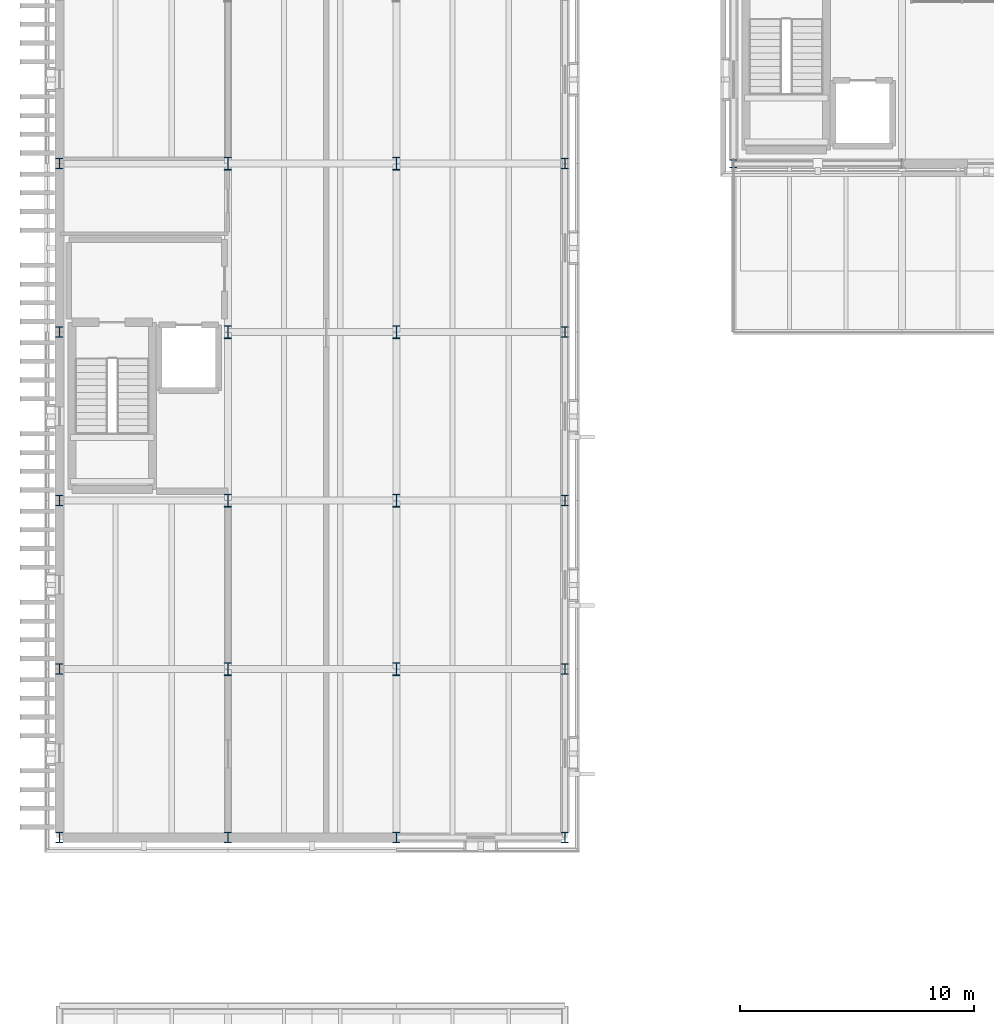
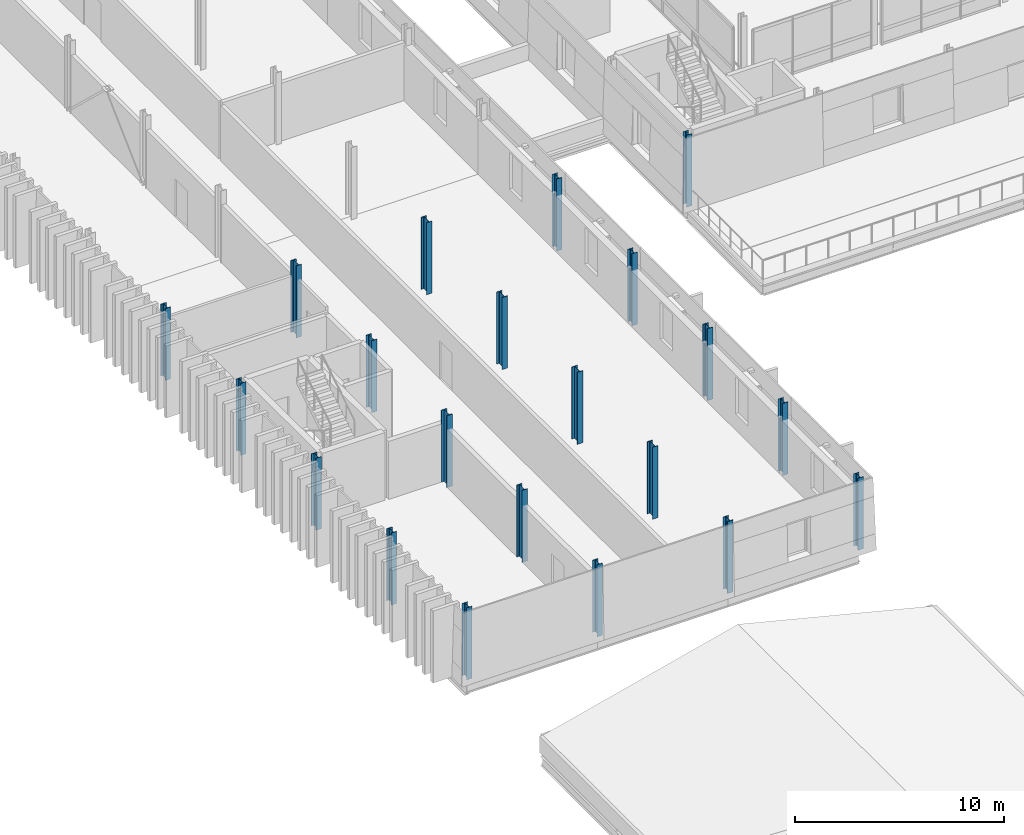
# One storey, part 1 of 91: 21 columns.
"""IFC4 building model written with IfcOpenShell, lengths in metres."""

from ifc_helpers import new_model, si_unit, direction, frame, origin, origin_2d, place, context, subcontext, project, spatial, i_section, extrude, material, material_profile, profile_set, type_object, element, save


model = new_model("IFC4")

# Units and contexts
model_context = context("Model", 3, precision=1e-05, world=origin(), true_north=direction((0.0, 1.0)))
body_context = subcontext(model_context, "Body", "Model", "MODEL_VIEW")
ifc_project = project(units=[si_unit("LENGTHUNIT", "METRE"), si_unit("AREAUNIT", "SQUARE_METRE"), si_unit("VOLUMEUNIT", "CUBIC_METRE"), si_unit("PLANEANGLEUNIT", "RADIAN"), si_unit("MASSUNIT", "GRAM", prefix="KILO")], contexts=[model_context])

# Site, building, storey
site_placement = place(None, origin())
site = spatial("IfcSite", under=ifc_project, at=site_placement, CompositionType="ELEMENT")
building_placement = place(site_placement, origin())
building = spatial("IfcBuilding", under=site, at=building_placement, Name="Narikvali Park Central Library", CompositionType="ELEMENT")
storey_placement = place(building_placement, frame((0.0, 0.0, 14.39990234375)))
storey = spatial("IfcBuildingStorey", under=building, at=storey_placement, Name="L03", CompositionType="ELEMENT", Elevation=14.39990234375)

# Columns
ifc_material = material(Name="Steel S355", Category="steel")
ifc_material_profile_1 = material_profile(ifc_material, i_section(OverallWidth=0.300048828125, OverallDepth=0.340087890625, WebThickness=0.011962890625, FlangeThickness=0.021484375, FilletRadius=0.027099609375, at=origin_2d()), Name="HEB 340")
ifc_profile_set_1 = profile_set([ifc_material_profile_1], Name="Steel S355")
column_type_1 = type_object("IfcColumnType", Name="Steel Column HEB340", PredefinedType="COLUMN", material=ifc_profile_set_1)
column_placement = place(storey_placement, frame((28.800048828125, 57.60009765625, 0.0), z_axis=(0.0, 0.0, 1.0), x_axis=(1.0, 0.0, 0.0)))
element("IfcColumn", 1, at=column_placement, inside=storey, type_object=column_type_1, Name="V4 L03 Column (28.8,57.6)", PredefinedType="COLUMN", context=body_context, shape_type="SweptSolid", body=[
    extrude(i_section(OverallWidth=0.300048828125, OverallDepth=0.340087890625, WebThickness=0.011962890625, FlangeThickness=0.021484375, FilletRadius=0.027099609375, at=origin_2d()), origin(), (0.0, 0.0, 1.0), 4.2001953125),
])
ifc_material_profile_2 = material_profile(ifc_material, i_section(OverallWidth=0.300048828125, OverallDepth=0.449951171875, WebThickness=0.013916015625, FlangeThickness=0.02587890625, FilletRadius=0.027099609375, at=origin_2d()), Name="HEB 450")
ifc_profile_set_2 = profile_set([ifc_material_profile_2], Name="Steel S355")
column_type_2 = type_object("IfcColumnType", Name="Steel Column HEB450", PredefinedType="COLUMN", material=ifc_profile_set_2)
for number, where, z_axis, x_axis, name in (
    (2, (0.0, 28.800048828125, 0.0), (0.0, 0.0, 1.0), (1.0, 0.0, 0.0), "V5 L03 Column (0.0,28.8)"),
    (3, (0.0, 36.0, 0.0), (0.0, 0.0, 1.0), (1.0, 0.0, 0.0), "V5 L03 Column (0.0,36.0)"),
    (4, (0.0, 43.199951171875, 0.0), (0.0, 0.0, 1.0), (1.0, 0.0, 0.0), "V5 L03 Column (0.0,43.2)"),
    (5, (0.0, 50.39990234375, 0.0), (0.0, 0.0, 1.0), (1.0, 0.0, 0.0), "V5 L03 Column (0.0,50.4)"),
    (6, (0.0, 57.60009765625, 0.0), (0.0, 0.0, 1.0), (1.0, 0.0, 0.0), "V5 L03 Column (0.0,57.6)"),
    (7, (7.199951171875, 28.800048828125, 0.0), (0.0, 0.0, 1.0), (1.0, 0.0, 0.0), "V5 L03 Column (7.2,28.8)"),
    (8, (14.39990234375, 28.800048828125, 0.0), (0.0, 0.0, 1.0), (1.0, 0.0, 0.0), "V5 L03 Column (14.4,28.8)"),
    (9, (21.60009765625, 28.800048828125, 0.0), (0.0, 0.0, 1.0), (1.0, 0.0, 0.0), "V5 L03 Column (21.6,28.8)"),
    (10, (21.60009765625, 36.0, 0.0), (0.0, 0.0, 1.0), (1.0, 0.0, 0.0), "V5 L03 Column (21.6,36.0)"),
    (11, (21.60009765625, 43.199951171875, 0.0), (0.0, 0.0, 1.0), (1.0, 0.0, 0.0), "V5 L03 Column (21.6,43.2)"),
    (12, (21.60009765625, 50.39990234375, 0.0), (0.0, 0.0, 1.0), (1.0, 0.0, 0.0), "V5 L03 Column (21.6,50.4)"),
    (13, (21.60009765625, 57.60009765625, 0.0), (0.0, 0.0, 1.0), (1.0, 0.0, 0.0), "V5 L03 Column (21.6,57.6)"),
):
    element("IfcColumn", number, at=place(storey_placement, frame(where, z_axis=z_axis, x_axis=x_axis)), inside=storey, type_object=column_type_2, Name=name, PredefinedType="COLUMN", context=body_context, shape_type="SweptSolid", body=[
        extrude(i_section(OverallWidth=0.300048828125, OverallDepth=0.449951171875, WebThickness=0.013916015625, FlangeThickness=0.02587890625, FilletRadius=0.027099609375, at=origin_2d()), origin(), (0.0, 0.0, 1.0), 4.2001953125),
    ])
ifc_material_profile_3 = material_profile(ifc_material, i_section(OverallWidth=0.300048828125, OverallDepth=0.550048828125, WebThickness=0.014892578125, FlangeThickness=0.029052734375, FilletRadius=0.027099609375, at=origin_2d()), Name="HEB 550")
ifc_profile_set_3 = profile_set([ifc_material_profile_3], Name="Steel S355")
column_type_3 = type_object("IfcColumnType", Name="Upper Stack Column HEB550", PredefinedType="COLUMN", material=ifc_profile_set_3)
for number, where, z_axis, x_axis, name in (
    (14, (7.199951171875, 36.0, 0.0), (0.0, 0.0, 1.0), (1.0, 0.0, 0.0), "V5 L03 Column (7.2,36.0)"),
    (15, (7.199951171875, 43.199951171875, 0.0), (0.0, 0.0, 1.0), (1.0, 0.0, 0.0), "V5 L03 Column (7.2,43.2)"),
    (16, (7.199951171875, 50.39990234375, 0.0), (0.0, 0.0, 1.0), (1.0, 0.0, 0.0), "V5 L03 Column (7.2,50.4)"),
    (17, (7.199951171875, 57.60009765625, 0.0), (0.0, 0.0, 1.0), (1.0, 0.0, 0.0), "V5 L03 Column (7.2,57.6)"),
    (18, (14.39990234375, 36.0, 0.0), (0.0, 0.0, 1.0), (1.0, 0.0, 0.0), "V5 L03 Column (14.4,36.0)"),
    (19, (14.39990234375, 43.199951171875, 0.0), (0.0, 0.0, 1.0), (1.0, 0.0, 0.0), "V5 L03 Column (14.4,43.2)"),
    (20, (14.39990234375, 50.39990234375, 0.0), (0.0, 0.0, 1.0), (1.0, 0.0, 0.0), "V5 L03 Column (14.4,50.4)"),
    (21, (14.39990234375, 57.60009765625, 0.0), (0.0, 0.0, 1.0), (1.0, 0.0, 0.0), "V5 L03 Column (14.4,57.6)"),
):
    element("IfcColumn", number, at=place(storey_placement, frame(where, z_axis=z_axis, x_axis=x_axis)), inside=storey, type_object=column_type_3, Name=name, PredefinedType="COLUMN", context=body_context, shape_type="SweptSolid", body=[
        extrude(i_section(OverallWidth=0.300048828125, OverallDepth=0.550048828125, WebThickness=0.014892578125, FlangeThickness=0.029052734375, FilletRadius=0.027099609375, at=origin_2d()), origin(), (0.0, 0.0, 1.0), 4.2001953125),
    ])

save(model, "model.ifc")
